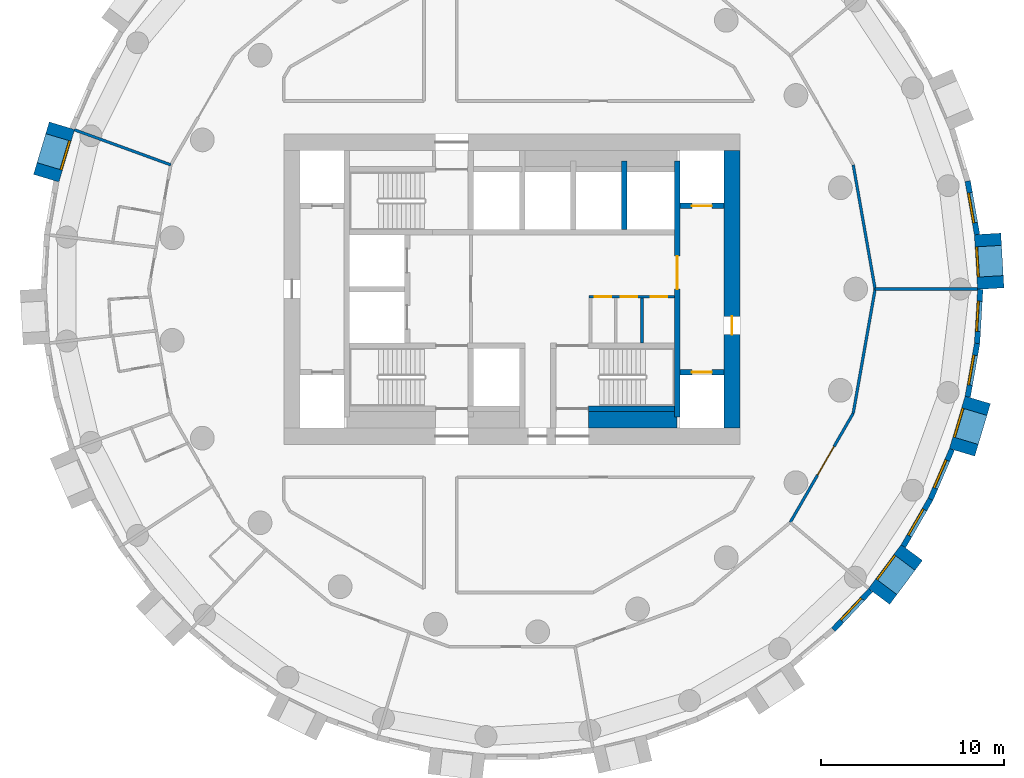
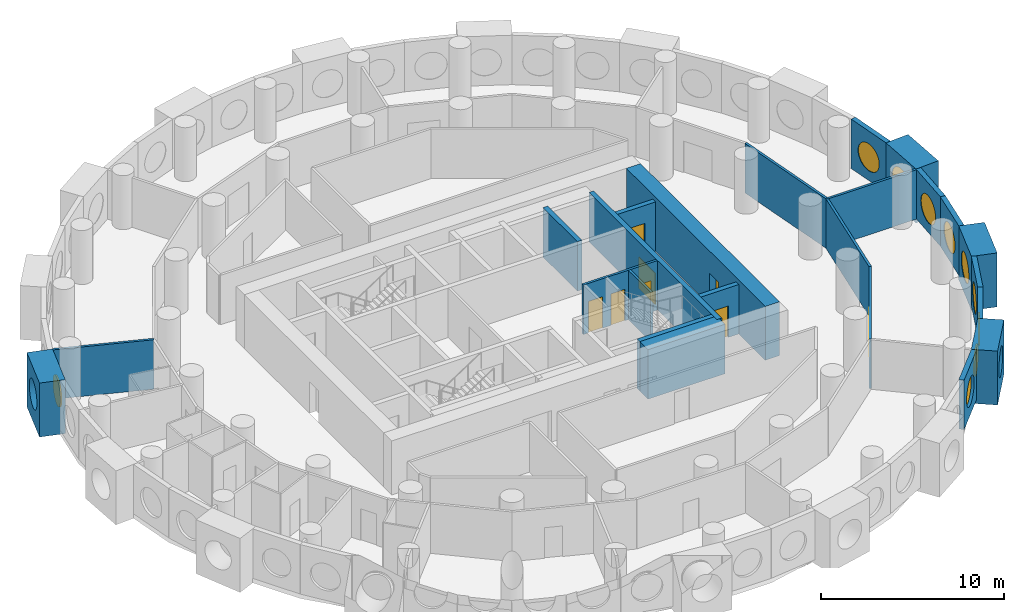
# One storey, part 5 of 9: 24 walls, 10 windows, 8 doors, 18 openings.
"""IFC4 building model written with IfcOpenShell, lengths in metres."""

from ifc_helpers import new_model, si_unit, direction, frame, frame_2d, origin, origin_2d, place, context, subcontext, project, spatial, rectangle, circle, extrude, material, layer, layer_set, type_object, element, fill, save


model = new_model("IFC4")

# Units and contexts
model_context = context("Model", 3, precision=1e-05, world=origin(), true_north=direction((0.0, 1.0)))
body_context = subcontext(model_context, "Body", "Model", "MODEL_VIEW")
ifc_project = project(units=[si_unit("LENGTHUNIT", "METRE"), si_unit("AREAUNIT", "SQUARE_METRE"), si_unit("VOLUMEUNIT", "CUBIC_METRE"), si_unit("PLANEANGLEUNIT", "RADIAN"), si_unit("MASSUNIT", "GRAM", prefix="KILO")], contexts=[model_context])

# Site, building, storey
site_placement = place(None, origin())
site = spatial("IfcSite", under=ifc_project, at=site_placement, CompositionType="ELEMENT")
building_placement = place(site_placement, origin())
building = spatial("IfcBuilding", under=site, at=building_placement, Name="Tracery Tower", CompositionType="ELEMENT")
storey_placement = place(building_placement, frame((0.0, 0.0, 201.60009765625)))
storey = spatial("IfcBuildingStorey", under=building, at=storey_placement, Name="L52", CompositionType="ELEMENT", Elevation=201.60009765625)

# Wall, openings, doors
ifc_material_1 = material(Name="Plasterboard on steel studs", Category="steel")
ifc_layer_1 = layer(ifc_material_1, 0.14990234375)
ifc_layer_set_1 = layer_set([ifc_layer_1], Name="Core room partition 150")
wall_type_1 = type_object("IfcWallType", Name="Core room partition 150", PredefinedType="SOLIDWALL", material=ifc_layer_set_1)
wall_1_placement = place(storey_placement, frame((4.22509765625, -0.425048828125, 0.0), z_axis=(0.0, 0.0, 1.0), x_axis=(1.0, 0.0, 0.0)))
wall_1 = element("IfcWall", 1, at=wall_1_placement, inside=storey, type_object=wall_type_1, Name="L52 slot N", PredefinedType="SOLIDWALL", context=body_context, shape_type="SweptSolid", body=[
    extrude(rectangle(XDim=4.6748046875, YDim=0.14990234375, at=frame_2d((2.33740234375, 0.0))), origin(), (0.0, 0.0, 1.0), 3.2998046875),
])
opening_1_placement = place(wall_1_placement, frame((0.3125, 0.0, 0.0)))
opening_1 = element("IfcOpeningElement", 2, at=opening_1_placement, cuts=wall_1, Name="Opening KD32", PredefinedType="OPENING", context=body_context, shape_type="SweptSolid", body=[
    extrude(rectangle(XDim=0.89990234375, YDim=2.10009765625, at=frame_2d((0.449951171875, 1.050048828125))), frame((0.0, 0.074951171875, 0.0), z_axis=(0.0, -1.0, 0.0), x_axis=(1.0, 0.0, 0.0)), (0.0, 0.0, 1.0), 0.14990234375),
])
opening_2_placement = place(wall_1_placement, frame((1.72509765625, 0.0, 0.0)))
opening_2 = element("IfcOpeningElement", 3, at=opening_2_placement, cuts=wall_1, Name="Opening KD26", PredefinedType="OPENING", context=body_context, shape_type="SweptSolid", body=[
    extrude(rectangle(XDim=0.89990234375, YDim=2.10009765625, at=frame_2d((0.449951171875, 1.050048828125))), frame((0.0, 0.074951171875, 0.0), z_axis=(0.0, -1.0, 0.0), x_axis=(1.0, 0.0, 0.0)), (0.0, 0.0, 1.0), 0.14990234375),
])
opening_3_placement = place(wall_1_placement, frame((3.375, 0.0, 0.0)))
opening_3 = element("IfcOpeningElement", 4, at=opening_3_placement, cuts=wall_1, Name="Opening KD22", PredefinedType="OPENING", context=body_context, shape_type="SweptSolid", body=[
    extrude(rectangle(XDim=0.89990234375, YDim=2.10009765625, at=frame_2d((0.449951171875, 1.050048828125))), frame((0.0, 0.074951171875, 0.0), z_axis=(0.0, -1.0, 0.0), x_axis=(1.0, 0.0, 0.0)), (0.0, 0.0, 1.0), 0.14990234375),
])
ifc_material_2 = material(Name="Timber door leaf", Category="wood")
door_type_1 = type_object("IfcDoorType", Name="Core WC door 900", OperationType="NOTDEFINED", PredefinedType="DOOR", material=ifc_material_2)
door_1_placement = place(opening_3_placement, origin())
door_1 = element("IfcDoor", 5, at=door_1_placement, inside=storey, type_object=door_type_1, Name="Core door", OperationType="SINGLE_SWING_RIGHT", OverallHeight=2.10009765625, OverallWidth=0.89990234375, PredefinedType="DOOR", context=body_context, shape_type="SweptSolid", body=[
    extrude(rectangle(XDim=0.89990234375, YDim=2.10009765625, at=frame_2d((0.449951171875, 1.050048828125))), frame((0.0, 0.02490234375, 0.0), z_axis=(0.0, -1.0, 0.0), x_axis=(1.0, 0.0, 0.0)), (0.0, 0.0, 1.0), 0.050048828125),
])
fill(opening_3, door_1)
ifc_material_3 = material(Name="Steel fire door", Category="steel")
door_type_2 = type_object("IfcDoorType", Name="Core riser door 900", OperationType="NOTDEFINED", PredefinedType="DOOR", material=ifc_material_3)
door_2_placement = place(opening_1_placement, origin())
door_2 = element("IfcDoor", 6, at=door_2_placement, inside=storey, type_object=door_type_2, Name="Core door", OperationType="SINGLE_SWING_RIGHT", OverallHeight=2.10009765625, OverallWidth=0.89990234375, PredefinedType="DOOR", context=body_context, shape_type="SweptSolid", body=[
    extrude(rectangle(XDim=0.89990234375, YDim=2.10009765625, at=frame_2d((0.449951171875, 1.050048828125))), frame((0.0, 0.02490234375, 0.0), z_axis=(0.0, -1.0, 0.0), x_axis=(1.0, 0.0, 0.0)), (0.0, 0.0, 1.0), 0.050048828125),
])
fill(opening_1, door_2)
ifc_material_4 = material(Name="Timber door leaf", Category="wood")
door_type_3 = type_object("IfcDoorType", Name="Core store door 900", OperationType="NOTDEFINED", PredefinedType="DOOR", material=ifc_material_4)
door_3_placement = place(opening_2_placement, origin())
door_3 = element("IfcDoor", 7, at=door_3_placement, inside=storey, type_object=door_type_3, Name="Core door", OperationType="SINGLE_SWING_LEFT", OverallHeight=2.10009765625, OverallWidth=0.89990234375, PredefinedType="DOOR", context=body_context, shape_type="SweptSolid", body=[
    extrude(rectangle(XDim=0.89990234375, YDim=2.10009765625, at=frame_2d((0.449951171875, 1.050048828125))), frame((0.0, 0.02490234375, 0.0), z_axis=(0.0, -1.0, 0.0), x_axis=(1.0, 0.0, 0.0)), (0.0, 0.0, 1.0), 0.050048828125),
])
fill(opening_2, door_3)

# Walls
wall_2_placement = place(storey_placement, frame((7.125, -2.949951171875, 0.0), z_axis=(0.0, 0.0, 1.0), x_axis=(0.0, 1.0, 0.0)))
element("IfcWall", 8, at=wall_2_placement, inside=storey, type_object=wall_type_1, Name="L52 slot sep 2", PredefinedType="SOLIDWALL", context=body_context, shape_type="SweptSolid", body=[
    extrude(rectangle(XDim=2.449951171875, YDim=0.14990234375, at=frame_2d((1.22509765625, 0.0))), origin(), (0.0, 0.0, 1.0), 3.2998046875),
])
ifc_material_5 = material(Name="Concrete C50/60", Category="concrete")
ifc_layer_2 = layer(ifc_material_5, 0.89990234375)
ifc_layer_set_2 = layer_set([ifc_layer_2], Name="Core strip wall 900 C50")
wall_type_2 = type_object("IfcWallType", Name="Core strip wall 900 C50", PredefinedType="SOLIDWALL", material=ifc_layer_set_2)
wall_3_placement = place(storey_placement, frame((4.199951171875, -7.14990234375, 0.0), z_axis=(0.0, 0.0, 1.0), x_axis=(1.0, 0.0, 0.0)))
element("IfcWall", 9, at=wall_3_placement, inside=storey, type_object=wall_type_2, Name="L52 F thick S E", PredefinedType="SOLIDWALL", context=body_context, shape_type="SweptSolid", body=[
    extrude(rectangle(XDim=4.85009765625, YDim=0.89990234375, at=frame_2d((2.425048828125, 0.0))), origin(), (0.0, 0.0, 1.0), 3.2998046875),
])

# Wall, opening, door
ifc_material_6 = material(Name="Concrete C50/60", Category="concrete")
ifc_layer_3 = layer(ifc_material_6, 0.89990234375)
ifc_layer_set_3 = layer_set([ifc_layer_3], Name="Core wall 900 C50")
wall_type_3 = type_object("IfcWallType", Name="Core wall 900 C50", PredefinedType="SOLIDWALL", material=ifc_layer_set_3)
wall_4_placement = place(storey_placement, frame((12.050048828125, -7.60009765625, 0.0), z_axis=(0.0, 0.0, 1.0), x_axis=(0.0, 1.0, 0.0)))
wall_4 = element("IfcWall", 10, at=wall_4_placement, inside=storey, type_object=wall_type_3, Name="L52 outer E", PredefinedType="SOLIDWALL", context=body_context, shape_type="SweptSolid", body=[
    extrude(rectangle(XDim=15.2001953125, YDim=0.89990234375, at=frame_2d((7.60009765625, 0.0))), origin(), (0.0, 0.0, 1.0), 3.599853515625),
])
opening_4_placement = place(wall_4_placement, frame((5.10009765625, 0.0, 0.0)))
opening_4 = element("IfcOpeningElement", 11, at=opening_4_placement, cuts=wall_4, Name="Opening KD18", PredefinedType="OPENING", context=body_context, shape_type="SweptSolid", body=[
    extrude(rectangle(XDim=1.0, YDim=2.10009765625, at=frame_2d((0.5, 1.050048828125))), frame((0.0, 0.449951171875, 0.0), z_axis=(0.0, -1.0, 0.0), x_axis=(1.0, 0.0, 0.0)), (0.0, 0.0, 1.0), 0.89990234375),
])
ifc_material_7 = material(Name="Steel fire door", Category="steel")
door_type_4 = type_object("IfcDoorType", Name="Core exit door 1000", OperationType="NOTDEFINED", PredefinedType="DOOR", material=ifc_material_7)
door_4_placement = place(opening_4_placement, origin())
door_4 = element("IfcDoor", 12, at=door_4_placement, inside=storey, type_object=door_type_4, Name="Core exit door", OperationType="DOUBLE_DOOR_SINGLE_SWING", OverallHeight=2.10009765625, OverallWidth=1.0, PredefinedType="DOOR", context=body_context, shape_type="SweptSolid", body=[
    extrude(rectangle(XDim=1.0, YDim=2.10009765625, at=frame_2d((0.5, 1.050048828125))), frame((0.0, 0.02490234375, 0.0), z_axis=(0.0, -1.0, 0.0), x_axis=(1.0, 0.0, 0.0)), (0.0, 0.0, 1.0), 0.050048828125),
])
fill(opening_4, door_4)

# Wall, opening, window
ifc_material_8 = material(Name="Precast concrete C50/60", Category="concrete")
ifc_layer_4 = layer(ifc_material_8, 1.449951171875)
ifc_layer_set_4 = layer_set([ifc_layer_4], Name="Deep-set bay unit 3000 x 3600, slab edge 300")
wall_type_4 = type_object("IfcWallType", Name="Deep-set bay unit 3000 x 3600, slab edge 300", PredefinedType="ELEMENTEDWALL", material=ifc_layer_set_4)
wall_5_placement = place(storey_placement, frame((26.221923828125, 0.024658203125, -0.300048828125), z_axis=(0.0, 0.0, 1.0), x_axis=(-0.058106596105, 0.998310384344, 0.0)))
wall_5 = element("IfcWall", 13, at=wall_5_placement, inside=storey, type_object=wall_type_4, Name="Deep-set bay unit 1 at L52", PredefinedType="ELEMENTEDWALL", context=body_context, shape_type="SweptSolid", body=[
    extrude(rectangle(XDim=3.0, YDim=1.449951171875, at=frame_2d((1.5, 0.0))), origin(), (0.0, 0.0, 1.0), 3.599853515625),
])
opening_5_placement = place(wall_5_placement, frame((1.5, 0.0, 1.85009765625)))
opening_5 = element("IfcOpeningElement", 14, at=opening_5_placement, cuts=wall_5, Name="Opening WN1", PredefinedType="OPENING", context=body_context, shape_type="SweptSolid", body=[
    extrude(circle(Radius=0.9000244140625, at=origin_2d()), frame((0.0, 0.73486328125, 0.0), z_axis=(0.0, -1.0, 0.0), x_axis=(1.0, 0.0, 0.0)), (0.0, 0.0, 1.0), 1.469970703125),
])
ifc_material_9 = material(Name="Aluminium frame with tinted double glazing", Category="aluminium")
window_type = type_object("IfcWindowType", Name="Round window 1800", PartitioningType="SINGLE_PANEL", PredefinedType="WINDOW", material=ifc_material_9)
window_1_placement = place(opening_5_placement, origin())
window_1 = element("IfcWindow", 15, at=window_1_placement, inside=storey, type_object=window_type, Name="Round window 1 at L52", OverallHeight=1.800048828125, OverallWidth=1.800048828125, PartitioningType="SINGLE_PANEL", PredefinedType="WINDOW", context=body_context, shape_type="SweptSolid", body=[
    extrude(circle(Radius=0.9000244140625, at=origin_2d()), frame((0.0, 0.69482421875, 0.0), z_axis=(0.0, -1.0, 0.0), x_axis=(1.0, 0.0, 0.0)), (0.0, 0.0, 1.0), 0.10009765625),
])
fill(opening_5, window_1)

wall_6_placement = place(storey_placement, frame((-24.649169921875, 8.9453125, -0.300048828125), z_axis=(0.0, 0.0, 1.0), x_axis=(-0.286780420304, -0.957996341606, 0.0)))
wall_6 = element("IfcWall", 16, at=wall_6_placement, inside=storey, type_object=wall_type_4, Name="Deep-set bay unit 25 at L52", PredefinedType="ELEMENTEDWALL", context=body_context, shape_type="SweptSolid", body=[
    extrude(rectangle(XDim=3.0, YDim=1.449951171875, at=frame_2d((1.5, 0.0))), origin(), (0.0, 0.0, 1.0), 3.599853515625),
])
opening_6_placement = place(wall_6_placement, frame((1.5, 0.0, 1.85009765625)))
opening_6 = element("IfcOpeningElement", 17, at=opening_6_placement, cuts=wall_6, Name="Opening WN1", PredefinedType="OPENING", context=body_context, shape_type="SweptSolid", body=[
    extrude(circle(Radius=0.9000244140625, at=origin_2d()), frame((0.0, 0.73486328125, 0.0), z_axis=(0.0, -1.0, 0.0), x_axis=(1.0, 0.0, 0.0)), (0.0, 0.0, 1.0), 1.469970703125),
])
window_2_placement = place(opening_6_placement, origin())
window_2 = element("IfcWindow", 18, at=window_2_placement, inside=storey, type_object=window_type, Name="Round window 25 at L52", OverallHeight=1.800048828125, OverallWidth=1.800048828125, PartitioningType="SINGLE_PANEL", PredefinedType="WINDOW", context=body_context, shape_type="SweptSolid", body=[
    extrude(circle(Radius=0.9000244140625, at=origin_2d()), frame((0.0, 0.69482421875, 0.0), z_axis=(0.0, -1.0, 0.0), x_axis=(1.0, 0.0, 0.0)), (0.0, 0.0, 1.0), 0.10009765625),
])
fill(opening_6, window_2)

wall_7_placement = place(storey_placement, frame((20.10302734375, -16.836181640625, -0.300048828125), z_axis=(0.0, 0.0, 1.0), x_axis=(0.597183717734, 0.802104486506, 0.0)))
wall_7 = element("IfcWall", 19, at=wall_7_placement, inside=storey, type_object=wall_type_4, Name="Deep-set bay unit 49 at L52", PredefinedType="ELEMENTEDWALL", context=body_context, shape_type="SweptSolid", body=[
    extrude(rectangle(XDim=3.0, YDim=1.449951171875, at=frame_2d((1.5, 0.0))), origin(), (0.0, 0.0, 1.0), 3.599853515625),
])
opening_7_placement = place(wall_7_placement, frame((1.5, 0.0, 1.85009765625)))
opening_7 = element("IfcOpeningElement", 20, at=opening_7_placement, cuts=wall_7, Name="Opening WN1", PredefinedType="OPENING", context=body_context, shape_type="SweptSolid", body=[
    extrude(circle(Radius=0.9000244140625, at=origin_2d()), frame((0.0, 0.73486328125, 0.0), z_axis=(0.0, -1.0, 0.0), x_axis=(1.0, 0.0, 0.0)), (0.0, 0.0, 1.0), 1.469970703125),
])
window_3_placement = place(opening_7_placement, origin())
window_3 = element("IfcWindow", 21, at=window_3_placement, inside=storey, type_object=window_type, Name="Round window 49 at L52", OverallHeight=1.800048828125, OverallWidth=1.800048828125, PartitioningType="SINGLE_PANEL", PredefinedType="WINDOW", context=body_context, shape_type="SweptSolid", body=[
    extrude(circle(Radius=0.9000244140625, at=origin_2d()), frame((0.0, 0.69482421875, 0.0), z_axis=(0.0, -1.0, 0.0), x_axis=(1.0, 0.0, 0.0)), (0.0, 0.0, 1.0), 0.10009765625),
])
fill(opening_7, window_3)

wall_8_placement = place(storey_placement, frame((24.649169921875, -8.9453125, -0.300048828125), z_axis=(0.0, 0.0, 1.0), x_axis=(0.286780420304, 0.957996341606, 0.0)))
wall_8 = element("IfcWall", 22, at=wall_8_placement, inside=storey, type_object=wall_type_4, Name="Deep-set bay unit 52 at L52", PredefinedType="ELEMENTEDWALL", context=body_context, shape_type="SweptSolid", body=[
    extrude(rectangle(XDim=3.0, YDim=1.449951171875, at=frame_2d((1.5, 0.0))), origin(), (0.0, 0.0, 1.0), 3.599853515625),
])
opening_8_placement = place(wall_8_placement, frame((1.5, 0.0, 1.85009765625)))
opening_8 = element("IfcOpeningElement", 23, at=opening_8_placement, cuts=wall_8, Name="Opening WN1", PredefinedType="OPENING", context=body_context, shape_type="SweptSolid", body=[
    extrude(circle(Radius=0.9000244140625, at=origin_2d()), frame((0.0, 0.73486328125, 0.0), z_axis=(0.0, -1.0, 0.0), x_axis=(1.0, 0.0, 0.0)), (0.0, 0.0, 1.0), 1.469970703125),
])
window_4_placement = place(opening_8_placement, origin())
window_4 = element("IfcWindow", 24, at=window_4_placement, inside=storey, type_object=window_type, Name="Round window 52 at L52", OverallHeight=1.800048828125, OverallWidth=1.800048828125, PartitioningType="SINGLE_PANEL", PredefinedType="WINDOW", context=body_context, shape_type="SweptSolid", body=[
    extrude(circle(Radius=0.9000244140625, at=origin_2d()), frame((0.0, 0.69482421875, 0.0), z_axis=(0.0, -1.0, 0.0), x_axis=(1.0, 0.0, 0.0)), (0.0, 0.0, 1.0), 0.10009765625),
])
fill(opening_8, window_4)

ifc_material_10 = material(Name="Precast concrete C50/60", Category="concrete")
ifc_layer_5 = layer(ifc_material_10, 0.300048828125)
ifc_layer_set_5 = layer_set([ifc_layer_5], Name="Facade panel 3000 x 3300")
wall_type_5 = type_object("IfcWallType", Name="Facade panel 3000 x 3300", PredefinedType="SOLIDWALL", material=ifc_layer_set_5)
wall_9_placement = place(storey_placement, frame((25.472412109375, 2.987060546875, 0.0), z_axis=(0.0, 0.0, 1.0), x_axis=(-0.173686952598, 0.984800915159, 0.0)))
wall_9 = element("IfcWall", 25, at=wall_9_placement, inside=storey, type_object=wall_type_5, Name="Facade panel 2 at L52", PredefinedType="SOLIDWALL", context=body_context, shape_type="SweptSolid", body=[
    extrude(rectangle(XDim=2.972900390625, YDim=0.300048828125, at=frame_2d((1.486328125, 0.0))), origin(), (0.0, 0.0, 1.0), 3.2998046875),
])
opening_9_placement = place(wall_9_placement, frame((1.486328125, 0.0, 1.5498046875)))
opening_9 = element("IfcOpeningElement", 26, at=opening_9_placement, cuts=wall_9, Name="Opening WN1", PredefinedType="OPENING", context=body_context, shape_type="SweptSolid", body=[
    extrude(circle(Radius=0.9000244140625, at=origin_2d()), frame((0.0, 0.159912109375, 0.0), z_axis=(0.0, -1.0, 0.0), x_axis=(1.0, 0.0, 0.0)), (0.0, 0.0, 1.0), 0.320068359375),
])
window_5_placement = place(opening_9_placement, origin())
window_5 = element("IfcWindow", 27, at=window_5_placement, inside=storey, type_object=window_type, Name="Round window 2 at L52", OverallHeight=1.800048828125, OverallWidth=1.800048828125, PartitioningType="SINGLE_PANEL", PredefinedType="WINDOW", context=body_context, shape_type="SweptSolid", body=[
    extrude(circle(Radius=0.9000244140625, at=origin_2d()), frame((0.0, 0.1201171875, 0.0), z_axis=(0.0, -1.0, 0.0), x_axis=(1.0, 0.0, 0.0)), (0.0, 0.0, 1.0), 0.10009765625),
])
fill(opening_9, window_5)

wall_10_placement = place(storey_placement, frame((17.600341796875, -18.6552734375, 0.0), z_axis=(0.0, 0.0, 1.0), x_axis=(0.686235184166, 0.727379730273, 0.0)))
wall_10 = element("IfcWall", 28, at=wall_10_placement, inside=storey, type_object=wall_type_5, Name="Facade panel 48 at L52", PredefinedType="SOLIDWALL", context=body_context, shape_type="SweptSolid", body=[
    extrude(rectangle(XDim=2.972900390625, YDim=0.300048828125, at=frame_2d((1.486328125, 0.0))), origin(), (0.0, 0.0, 1.0), 3.2998046875),
])
opening_10_placement = place(wall_10_placement, frame((1.486328125, 0.0, 1.5498046875)))
opening_10 = element("IfcOpeningElement", 29, at=opening_10_placement, cuts=wall_10, Name="Opening WN1", PredefinedType="OPENING", context=body_context, shape_type="SweptSolid", body=[
    extrude(circle(Radius=0.9000244140625, at=origin_2d()), frame((0.0, 0.159912109375, 0.0), z_axis=(0.0, -1.0, 0.0), x_axis=(1.0, 0.0, 0.0)), (0.0, 0.0, 1.0), 0.320068359375),
])
window_6_placement = place(opening_10_placement, origin())
window_6 = element("IfcWindow", 30, at=window_6_placement, inside=storey, type_object=window_type, Name="Round window 48 at L52", OverallHeight=1.800048828125, OverallWidth=1.800048828125, PartitioningType="SINGLE_PANEL", PredefinedType="WINDOW", context=body_context, shape_type="SweptSolid", body=[
    extrude(circle(Radius=0.9000244140625, at=origin_2d()), frame((0.0, 0.1201171875, 0.0), z_axis=(0.0, -1.0, 0.0), x_axis=(1.0, 0.0, 0.0)), (0.0, 0.0, 1.0), 0.10009765625),
])
fill(opening_10, window_6)

wall_11_placement = place(storey_placement, frame((21.432861328125, -14.085205078125, 0.0), z_axis=(0.0, 0.0, 1.0), x_axis=(0.500016263033, 0.866016014115, 0.0)))
wall_11 = element("IfcWall", 31, at=wall_11_placement, inside=storey, type_object=wall_type_5, Name="Facade panel 50 at L52", PredefinedType="SOLIDWALL", context=body_context, shape_type="SweptSolid", body=[
    extrude(rectangle(XDim=2.97314453125, YDim=0.300048828125, at=frame_2d((1.486572265625, 0.0))), origin(), (0.0, 0.0, 1.0), 3.2998046875),
])
opening_11_placement = place(wall_11_placement, frame((1.486328125, 0.0, 1.5498046875)))
opening_11 = element("IfcOpeningElement", 32, at=opening_11_placement, cuts=wall_11, Name="Opening WN1", PredefinedType="OPENING", context=body_context, shape_type="SweptSolid", body=[
    extrude(circle(Radius=0.9000244140625, at=origin_2d()), frame((0.0, 0.159912109375, 0.0), z_axis=(0.0, -1.0, 0.0), x_axis=(1.0, 0.0, 0.0)), (0.0, 0.0, 1.0), 0.320068359375),
])
window_7_placement = place(opening_11_placement, origin())
window_7 = element("IfcWindow", 33, at=window_7_placement, inside=storey, type_object=window_type, Name="Round window 50 at L52", OverallHeight=1.800048828125, OverallWidth=1.800048828125, PartitioningType="SINGLE_PANEL", PredefinedType="WINDOW", context=body_context, shape_type="SweptSolid", body=[
    extrude(circle(Radius=0.9000244140625, at=origin_2d()), frame((0.0, 0.1201171875, 0.0), z_axis=(0.0, -1.0, 0.0), x_axis=(1.0, 0.0, 0.0)), (0.0, 0.0, 1.0), 0.10009765625),
])
fill(opening_11, window_7)

wall_12_placement = place(storey_placement, frame((22.91943359375, -11.510498046875, 0.0), z_axis=(0.0, 0.0, 1.0), x_axis=(0.396078892785, 0.918216483565, 0.0)))
wall_12 = element("IfcWall", 34, at=wall_12_placement, inside=storey, type_object=wall_type_5, Name="Facade panel 51 at L52", PredefinedType="SOLIDWALL", context=body_context, shape_type="SweptSolid", body=[
    extrude(rectangle(XDim=2.972900390625, YDim=0.300048828125, at=frame_2d((1.486328125, 0.0))), origin(), (0.0, 0.0, 1.0), 3.2998046875),
])
opening_12_placement = place(wall_12_placement, frame((1.486328125, 0.0, 1.5498046875)))
opening_12 = element("IfcOpeningElement", 35, at=opening_12_placement, cuts=wall_12, Name="Opening WN1", PredefinedType="OPENING", context=body_context, shape_type="SweptSolid", body=[
    extrude(circle(Radius=0.9000244140625, at=origin_2d()), frame((0.0, 0.159912109375, 0.0), z_axis=(0.0, -1.0, 0.0), x_axis=(1.0, 0.0, 0.0)), (0.0, 0.0, 1.0), 0.320068359375),
])
window_8_placement = place(opening_12_placement, origin())
window_8 = element("IfcWindow", 36, at=window_8_placement, inside=storey, type_object=window_type, Name="Round window 51 at L52", OverallHeight=1.800048828125, OverallWidth=1.800048828125, PartitioningType="SINGLE_PANEL", PredefinedType="WINDOW", context=body_context, shape_type="SweptSolid", body=[
    extrude(circle(Radius=0.9000244140625, at=origin_2d()), frame((0.0, 0.1201171875, 0.0), z_axis=(0.0, -1.0, 0.0), x_axis=(1.0, 0.0, 0.0)), (0.0, 0.0, 1.0), 0.10009765625),
])
fill(opening_12, window_8)

wall_13_placement = place(storey_placement, frame((24.957763671875, -5.9052734375, 0.0), z_axis=(0.0, 0.0, 1.0), x_axis=(0.173686952598, 0.984800915159, 0.0)))
wall_13 = element("IfcWall", 37, at=wall_13_placement, inside=storey, type_object=wall_type_5, Name="Facade panel 53 at L52", PredefinedType="SOLIDWALL", context=body_context, shape_type="SweptSolid", body=[
    extrude(rectangle(XDim=2.972900390625, YDim=0.300048828125, at=frame_2d((1.486328125, 0.0))), origin(), (0.0, 0.0, 1.0), 3.2998046875),
])
opening_13_placement = place(wall_13_placement, frame((1.486328125, 0.0, 1.5498046875)))
opening_13 = element("IfcOpeningElement", 38, at=opening_13_placement, cuts=wall_13, Name="Opening WN1", PredefinedType="OPENING", context=body_context, shape_type="SweptSolid", body=[
    extrude(circle(Radius=0.9000244140625, at=origin_2d()), frame((0.0, 0.159912109375, 0.0), z_axis=(0.0, -1.0, 0.0), x_axis=(1.0, 0.0, 0.0)), (0.0, 0.0, 1.0), 0.320068359375),
])
window_9_placement = place(opening_13_placement, origin())
window_9 = element("IfcWindow", 39, at=window_9_placement, inside=storey, type_object=window_type, Name="Round window 53 at L52", OverallHeight=1.800048828125, OverallWidth=1.800048828125, PartitioningType="SINGLE_PANEL", PredefinedType="WINDOW", context=body_context, shape_type="SweptSolid", body=[
    extrude(circle(Radius=0.9000244140625, at=origin_2d()), frame((0.0, 0.1201171875, 0.0), z_axis=(0.0, -1.0, 0.0), x_axis=(1.0, 0.0, 0.0)), (0.0, 0.0, 1.0), 0.10009765625),
])
fill(opening_13, window_9)

wall_14_placement = place(storey_placement, frame((25.47412109375, -2.9775390625, 0.0), z_axis=(0.0, 0.0, 1.0), x_axis=(0.058139540521, 0.998308466271, 0.0)))
wall_14 = element("IfcWall", 40, at=wall_14_placement, inside=storey, type_object=wall_type_5, Name="Facade panel 54 at L52", PredefinedType="SOLIDWALL", context=body_context, shape_type="SweptSolid", body=[
    extrude(rectangle(XDim=2.97314453125, YDim=0.300048828125, at=frame_2d((1.486572265625, 0.0))), origin(), (0.0, 0.0, 1.0), 3.2998046875),
])
opening_14_placement = place(wall_14_placement, frame((1.486328125, 0.0, 1.5498046875)))
opening_14 = element("IfcOpeningElement", 41, at=opening_14_placement, cuts=wall_14, Name="Opening WN1", PredefinedType="OPENING", context=body_context, shape_type="SweptSolid", body=[
    extrude(circle(Radius=0.9000244140625, at=origin_2d()), frame((0.0, 0.159912109375, 0.0), z_axis=(0.0, -1.0, 0.0), x_axis=(1.0, 0.0, 0.0)), (0.0, 0.0, 1.0), 0.320068359375),
])
window_10_placement = place(opening_14_placement, origin())
window_10 = element("IfcWindow", 42, at=window_10_placement, inside=storey, type_object=window_type, Name="Round window 54 at L52", OverallHeight=1.800048828125, OverallWidth=1.800048828125, PartitioningType="SINGLE_PANEL", PredefinedType="WINDOW", context=body_context, shape_type="SweptSolid", body=[
    extrude(circle(Radius=0.9000244140625, at=origin_2d()), frame((0.0, 0.1201171875, 0.0), z_axis=(0.0, -1.0, 0.0), x_axis=(1.0, 0.0, 0.0)), (0.0, 0.0, 1.0), 0.10009765625),
])
fill(opening_14, window_10)

# Walls
ifc_material_11 = material(Name="Plasterboard on steel studs", Category="steel")
ifc_layer_6 = layer(ifc_material_11, 0.14990234375)
ifc_layer_set_6 = layer_set([ifc_layer_6], Name="Partition 150 acoustic unit wall")
wall_type_6 = type_object("IfcWallType", Name="Partition 150 acoustic unit wall", PredefinedType="PARTITIONING", material=ifc_layer_set_6)
wall_15_placement = place(storey_placement, frame((19.887939453125, 0.0, 0.0), z_axis=(0.0, 0.0, 1.0), x_axis=(1.0, 0.0, 0.0)))
element("IfcWall", 43, at=wall_15_placement, inside=storey, type_object=wall_type_6, Name="Unit wall RB8-041", PredefinedType="PARTITIONING", context=body_context, shape_type="SweptSolid", body=[
    extrude(rectangle(XDim=5.609130859375, YDim=0.14990234375, at=frame_2d((2.8046875, 0.0))), origin(), (0.0, 0.0, 1.0), 3.2998046875),
])
wall_16_placement = place(storey_placement, frame((-23.9599609375, 8.720947265625, 0.0), z_axis=(0.0, 0.0, 1.0), x_axis=(0.939686652043, -0.342036541866, 0.0)))
element("IfcWall", 44, at=wall_16_placement, inside=storey, type_object=wall_type_6, Name="Unit wall RB8-044", PredefinedType="PARTITIONING", context=body_context, shape_type="SweptSolid", body=[
    extrude(rectangle(XDim=5.6103515625, YDim=0.14990234375, at=frame_2d((2.80517578125, 0.0))), origin(), (0.0, 0.0, 1.0), 3.2998046875),
])
ifc_material_12 = material(Name="Plasterboard on steel studs", Category="steel")
ifc_layer_7 = layer(ifc_material_12, 0.14990234375)
ifc_layer_set_7 = layer_set([ifc_layer_7], Name="Partition 150 corridor wall")
wall_type_7 = type_object("IfcWallType", Name="Partition 150 corridor wall", PredefinedType="PARTITIONING", material=ifc_layer_set_7)
for number, where, z_axis, x_axis, name in (
    (45, (18.68798828125, 6.802001953125, 0.0), (0.0, 0.0, 1.0), (0.173728873845, -0.98479352069, 0.0), "Corridor wall RB8-008"),
    (46, (18.68798828125, -6.802001953125, 0.0), (0.0, 0.0, 1.0), (0.173728873845, 0.98479352069, 0.0), "Corridor wall RB8-011"),
):
    element("IfcWall", number, at=place(storey_placement, frame(where, z_axis=z_axis, x_axis=x_axis)), inside=storey, type_object=wall_type_7, Name=name, PredefinedType="PARTITIONING", context=body_context, shape_type="SweptSolid", body=[
        extrude(rectangle(XDim=6.906982421875, YDim=0.14990234375, at=frame_2d((3.45361328125, 0.0))), origin(), (0.0, 0.0, 1.0), 3.2998046875),
    ])

# Wall, opening, door
wall_17_placement = place(storey_placement, frame((15.235107421875, -12.783935546875, 0.0), z_axis=(0.0, 0.0, 1.0), x_axis=(0.499914202267, 0.866074933462, 0.0)))
wall_17 = element("IfcWall", 47, at=wall_17_placement, inside=storey, type_object=wall_type_7, Name="Corridor wall RB8-012", PredefinedType="PARTITIONING", context=body_context, shape_type="SweptSolid", body=[
    extrude(rectangle(XDim=6.906982421875, YDim=0.14990234375, at=frame_2d((3.45361328125, 0.0))), origin(), (0.0, 0.0, 1.0), 3.2998046875),
])
opening_15_placement = place(wall_17_placement, frame((3.003173828125, 0.0, 0.0)))
opening_15 = element("IfcOpeningElement", 48, at=opening_15_placement, cuts=wall_17, Name="Opening RB8-22", PredefinedType="OPENING", context=body_context, shape_type="SweptSolid", body=[
    extrude(rectangle(XDim=1.800048828125, YDim=2.10009765625, at=frame_2d((0.89990234375, 1.050048828125))), frame((0.0, 0.074951171875, 0.0), z_axis=(0.0, -1.0, 0.0), x_axis=(1.0, 0.0, 0.0)), (0.0, 0.0, 1.0), 0.14990234375),
])
ifc_material_13 = material(Name="Timber door leaf", Category="wood")
door_type_5 = type_object("IfcDoorType", Name="Door double lounge 1800", OperationType="NOTDEFINED", PredefinedType="DOOR", material=ifc_material_13)
door_5_placement = place(opening_15_placement, origin())
door_5 = element("IfcDoor", 49, at=door_5_placement, inside=storey, type_object=door_type_5, Name="Double lounge door RB8-22", OperationType="DOUBLE_DOOR_SINGLE_SWING", OverallHeight=2.10009765625, OverallWidth=1.800048828125, PredefinedType="DOOR", context=body_context, shape_type="SweptSolid", body=[
    extrude(rectangle(XDim=1.800048828125, YDim=2.10009765625, at=frame_2d((0.89990234375, 1.050048828125))), frame((0.0, 0.02490234375, 0.0), z_axis=(0.0, -1.0, 0.0), x_axis=(1.0, 0.0, 0.0)), (0.0, 0.0, 1.0), 0.050048828125),
])
fill(opening_15, door_5)

# Wall
ifc_material_14 = material(Name="Concrete C50/60", Category="concrete")
ifc_layer_8 = layer(ifc_material_14, 0.300048828125)
ifc_layer_set_8 = layer_set([ifc_layer_8], Name="Shaft wall 300 C50")
wall_type_8 = type_object("IfcWallType", Name="Shaft wall 300 C50", PredefinedType="SOLIDWALL", material=ifc_layer_set_8)
wall_18_placement = place(storey_placement, frame((6.14990234375, 3.25, 0.0), z_axis=(0.0, 0.0, 1.0), x_axis=(0.0, 1.0, 0.0)))
element("IfcWall", 50, at=wall_18_placement, inside=storey, type_object=wall_type_8, Name="L52 HR sep 3", PredefinedType="SOLIDWALL", context=body_context, shape_type="SweptSolid", body=[
    extrude(rectangle(XDim=3.75, YDim=0.300048828125, at=frame_2d((1.875, 0.0))), origin(), (0.0, 0.0, 1.0), 3.2998046875),
])

# Wall, opening, door
wall_19_placement = place(storey_placement, frame((9.199951171875, -4.550048828125, 0.0), z_axis=(0.0, 0.0, 1.0), x_axis=(1.0, 0.0, 0.0)))
wall_19 = element("IfcWall", 51, at=wall_19_placement, inside=storey, type_object=wall_type_8, Name="L52 MR E -4.55", PredefinedType="SOLIDWALL", context=body_context, shape_type="SweptSolid", body=[
    extrude(rectangle(XDim=2.400146484375, YDim=0.300048828125, at=frame_2d((1.2001953125, 0.0))), origin(), (0.0, 0.0, 1.0), 3.2998046875),
])
opening_16_placement = place(wall_19_placement, frame((0.64990234375, 0.0, 0.0)))
opening_16 = element("IfcOpeningElement", 52, at=opening_16_placement, cuts=wall_19, Name="Opening KD50", PredefinedType="OPENING", context=body_context, shape_type="SweptSolid", body=[
    extrude(rectangle(XDim=1.10009765625, YDim=2.10009765625, at=frame_2d((0.550048828125, 1.050048828125))), frame((0.0, 0.14990234375, 0.0), z_axis=(0.0, -1.0, 0.0), x_axis=(1.0, 0.0, 0.0)), (0.0, 0.0, 1.0), 0.300048828125),
])
ifc_material_15 = material(Name="Steel fire door", Category="steel")
door_type_6 = type_object("IfcDoorType", Name="Landing door 1100", OperationType="NOTDEFINED", PredefinedType="DOOR", material=ifc_material_15)
door_6_placement = place(opening_16_placement, origin())
door_6 = element("IfcDoor", 53, at=door_6_placement, inside=storey, type_object=door_type_6, Name="Landing door MR3", OperationType="SLIDING_TO_RIGHT", OverallHeight=2.10009765625, OverallWidth=1.10009765625, PredefinedType="DOOR", context=body_context, shape_type="SweptSolid", body=[
    extrude(rectangle(XDim=1.10009765625, YDim=2.10009765625, at=frame_2d((0.550048828125, 1.050048828125))), frame((0.0, 0.02490234375, 0.0), z_axis=(0.0, -1.0, 0.0), x_axis=(1.0, 0.0, 0.0)), (0.0, 0.0, 1.0), 0.050048828125),
])
fill(opening_16, door_6)

wall_20_placement = place(storey_placement, frame((9.199951171875, 4.550048828125, 0.0), z_axis=(0.0, 0.0, 1.0), x_axis=(1.0, 0.0, 0.0)))
wall_20 = element("IfcWall", 54, at=wall_20_placement, inside=storey, type_object=wall_type_8, Name="L52 MR E +4.55", PredefinedType="SOLIDWALL", context=body_context, shape_type="SweptSolid", body=[
    extrude(rectangle(XDim=2.400146484375, YDim=0.300048828125, at=frame_2d((1.2001953125, 0.0))), origin(), (0.0, 0.0, 1.0), 3.2998046875),
])
opening_17_placement = place(wall_20_placement, frame((0.64990234375, 0.0, 0.0)))
opening_17 = element("IfcOpeningElement", 55, at=opening_17_placement, cuts=wall_20, Name="Opening KD49", PredefinedType="OPENING", context=body_context, shape_type="SweptSolid", body=[
    extrude(rectangle(XDim=1.10009765625, YDim=2.10009765625, at=frame_2d((0.550048828125, 1.050048828125))), frame((0.0, 0.14990234375, 0.0), z_axis=(0.0, -1.0, 0.0), x_axis=(1.0, 0.0, 0.0)), (0.0, 0.0, 1.0), 0.300048828125),
])
door_7_placement = place(opening_17_placement, origin())
door_7 = element("IfcDoor", 56, at=door_7_placement, inside=storey, type_object=door_type_6, Name="Landing door MR4", OperationType="SLIDING_TO_LEFT", OverallHeight=2.10009765625, OverallWidth=1.10009765625, PredefinedType="DOOR", context=body_context, shape_type="SweptSolid", body=[
    extrude(rectangle(XDim=1.10009765625, YDim=2.10009765625, at=frame_2d((0.550048828125, 1.050048828125))), frame((0.0, 0.02490234375, 0.0), z_axis=(0.0, -1.0, 0.0), x_axis=(1.0, 0.0, 0.0)), (0.0, 0.0, 1.0), 0.050048828125),
])
fill(opening_17, door_7)

ifc_material_16 = material(Name="Concrete C50/60", Category="concrete")
ifc_layer_9 = layer(ifc_material_16, 0.300048828125)
ifc_layer_set_9 = layer_set([ifc_layer_9], Name="Stair wall 300 C50")
wall_type_9 = type_object("IfcWallType", Name="Stair wall 300 C50", PredefinedType="SOLIDWALL", material=ifc_layer_set_9)
wall_21_placement = place(storey_placement, frame((9.050048828125, -7.0, 0.0), z_axis=(0.0, 0.0, 1.0), x_axis=(0.0, 1.0, 0.0)))
wall_21 = element("IfcWall", 57, at=wall_21_placement, inside=storey, type_object=wall_type_9, Name="L52 F wall +9", PredefinedType="SOLIDWALL", context=body_context, shape_type="SweptSolid", body=[
    extrude(rectangle(XDim=14.0, YDim=0.300048828125, at=frame_2d((7.0, 0.0))), origin(), (0.0, 0.0, 1.0), 3.2998046875),
])
opening_18_placement = place(wall_21_placement, frame((7.0, 0.0, 0.0)))
opening_18 = element("IfcOpeningElement", 58, at=opening_18_placement, cuts=wall_21, Name="Opening KD13", PredefinedType="OPENING", context=body_context, shape_type="SweptSolid", body=[
    extrude(rectangle(XDim=1.800048828125, YDim=2.10009765625, at=frame_2d((0.89990234375, 1.050048828125))), frame((0.0, 0.14990234375, 0.0), z_axis=(0.0, -1.0, 0.0), x_axis=(1.0, 0.0, 0.0)), (0.0, 0.0, 1.0), 0.300048828125),
])
ifc_material_17 = material(Name="Steel fire door", Category="steel")
door_type_7 = type_object("IfcDoorType", Name="Core exit door 1800 double", OperationType="NOTDEFINED", PredefinedType="DOOR", material=ifc_material_17)
door_8_placement = place(opening_18_placement, origin())
door_8 = element("IfcDoor", 59, at=door_8_placement, inside=storey, type_object=door_type_7, Name="Core exit door", OperationType="DOUBLE_DOOR_SINGLE_SWING", OverallHeight=2.10009765625, OverallWidth=1.800048828125, PredefinedType="DOOR", context=body_context, shape_type="SweptSolid", body=[
    extrude(rectangle(XDim=1.800048828125, YDim=2.10009765625, at=frame_2d((0.89990234375, 1.050048828125))), frame((0.0, 0.02490234375, 0.0), z_axis=(0.0, -1.0, 0.0), x_axis=(1.0, 0.0, 0.0)), (0.0, 0.0, 1.0), 0.050048828125),
])
fill(opening_18, door_8)

# Wall
wall_22_placement = place(storey_placement, frame((4.199951171875, -6.550048828125, 0.0), z_axis=(0.0, 0.0, 1.0), x_axis=(1.0, 0.0, 0.0)))
element("IfcWall", 60, at=wall_22_placement, inside=storey, type_object=wall_type_9, Name="L52 F stair strip S E", PredefinedType="SOLIDWALL", context=body_context, shape_type="SweptSolid", body=[
    extrude(rectangle(XDim=4.699951171875, YDim=0.300048828125, at=frame_2d((2.35009765625, 0.0))), origin(), (0.0, 0.0, 1.0), 3.2998046875),
])

save(model, "model.ifc")
